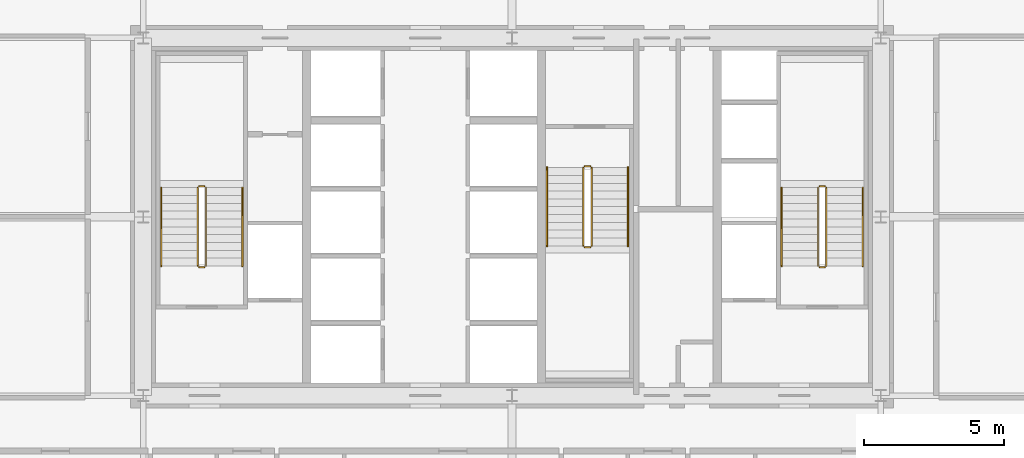
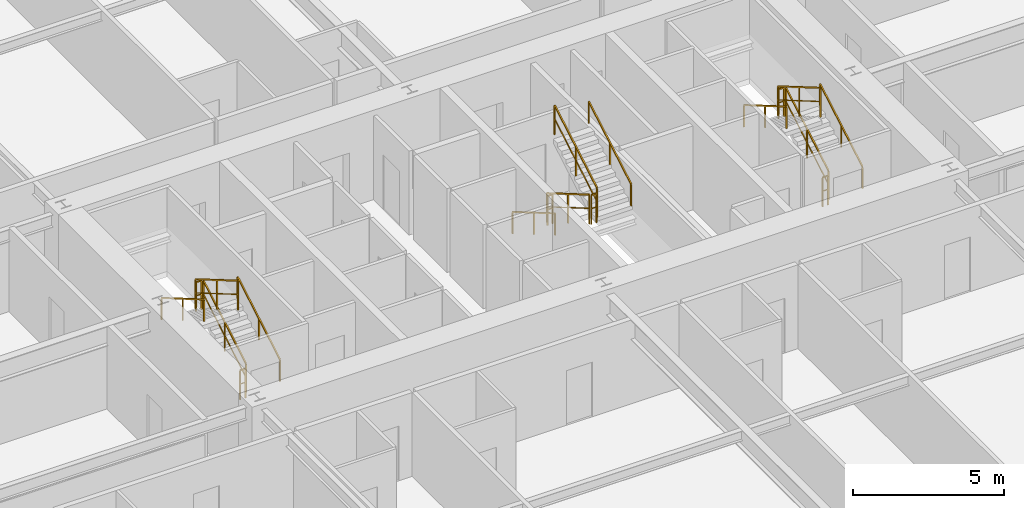
# One storey, part 43 of 43: 18 railings.
"""IFC4 building model written with IfcOpenShell, lengths in metres."""

import ifcopenshell
import ifcopenshell.guid

model = None  # the IFC model being written
_history = None  # IfcOwnerHistory: only IFC2X3 demands one
_inside = {}  # id of a spatial element -> (the spatial element, [elements in it])
_under = {}  # id of a project, library or spatial element -> (it, [spatial elements below it])
_declared = {}  # id of a project -> (the project, [libraries it declares])
_typed = {}  # id of a type object -> (the type object, [elements of that type])
_made_of = {}  # id of a material, layer set ... -> (it, [elements and type objects made of it])


def new_model(schema):
    """Start an empty IFC model of exactly this schema.

    Asked for "IFC4X3", IfcOpenShell would pick the latest addendum, in which some entities
    have other attributes; the version numbers below select the first issue.
    IFC2X3 requires an IfcOwnerHistory on every rooted entity: one is made here for all.
    """
    global model, _history
    if schema == "IFC4X3":
        model = ifcopenshell.file(schema_version=(4, 3, 0, 0))
    else:
        model = ifcopenshell.file(schema=schema)
    _inside.clear()
    _under.clear()
    _declared.clear()
    _typed.clear()
    _made_of.clear()
    _history = None
    if model.schema == "IFC2X3":
        org = make("IfcOrganization", Name="unknown")
        user = make(
            "IfcPersonAndOrganization",
            ThePerson=make("IfcPerson", FamilyName="unknown"),
            TheOrganization=org,
        )
        app = make(
            "IfcApplication",
            ApplicationDeveloper=org,
            Version="unknown",
            ApplicationFullName="unknown",
            ApplicationIdentifier="unknown",
        )
        _history = make(
            "IfcOwnerHistory",
            OwningUser=user,
            OwningApplication=app,
            ChangeAction="ADDED",
            CreationDate=0,
        )
    return model


def make(cls, **values):
    """One entity of the class cls with the attributes given. An attribute that is None is left unset."""
    return model.create_entity(
        cls, **{name: value for name, value in values.items() if value is not None}
    )


def rooted(cls, **values):
    """An entity with a GlobalId (a new one), such as an element, a storey or a relation."""
    return make(cls, GlobalId=ifcopenshell.guid.new(), OwnerHistory=_history, **values)


def si_unit(unit_type, name, prefix=None):
    """IfcSIUnit, for example si_unit("LENGTHUNIT", "METRE", prefix="MILLI")."""
    return make("IfcSIUnit", UnitType=unit_type, Prefix=prefix, Name=name)


def assignment(units):
    """IfcUnitAssignment: the units of a project."""
    return None if units is None else make("IfcUnitAssignment", Units=units)


def point(xyz):
    """IfcCartesianPoint."""
    return None if xyz is None else make("IfcCartesianPoint", Coordinates=xyz)


def direction(xyz):
    """IfcDirection."""
    return None if xyz is None else make("IfcDirection", DirectionRatios=xyz)


def frame(location, z_axis=None, x_axis=None):
    """IfcAxis2Placement3D, a coordinate frame: its origin and axes. An axis left out is left unset."""
    return make(
        "IfcAxis2Placement3D",
        Location=point(location),
        Axis=direction(z_axis),
        RefDirection=direction(x_axis),
    )


def frame_2d(location, x_axis=None):
    """IfcAxis2Placement2D, a coordinate frame in the plane: its origin and x axis."""
    return make(
        "IfcAxis2Placement2D", Location=point(location), RefDirection=direction(x_axis)
    )


def origin():
    """The frame at (0, 0, 0) with its axes left unset."""
    return frame((0.0, 0.0, 0.0))


def origin_2d():
    """The frame at (0, 0) in the plane with its x axis left unset."""
    return frame_2d((0.0, 0.0))


def place(relative_to, where):
    """IfcLocalPlacement: puts the frame where relative to a parent placement (None: the world)."""
    return make(
        "IfcLocalPlacement", PlacementRelTo=relative_to, RelativePlacement=where
    )


def context(
    kind, dimensions, precision=None, world=None, true_north=None, identifier=None
):
    """IfcGeometricRepresentationContext, for example the 3D "Model" context."""
    return make(
        "IfcGeometricRepresentationContext",
        ContextIdentifier=identifier,
        ContextType=kind,
        CoordinateSpaceDimension=dimensions,
        Precision=precision,
        WorldCoordinateSystem=world,
        TrueNorth=true_north,
    )


def subcontext(parent, identifier, kind, view, scale=None):
    """IfcGeometricRepresentationSubContext, for example "Body" below "Model"."""
    return make(
        "IfcGeometricRepresentationSubContext",
        ContextIdentifier=identifier,
        ContextType=kind,
        ParentContext=parent,
        TargetScale=scale,
        TargetView=view,
    )


def project(units=None, contexts=None):
    """IfcProject with its units and contexts."""
    return rooted(
        "IfcProject",
        Name="project",
        RepresentationContexts=contexts,
        UnitsInContext=assignment(units),
    )


def spatial(cls, under=None, at=None, **own):
    """A site, building, storey or space (cls), placed at a placement, below another one or the project."""
    s = rooted(cls, ObjectPlacement=at, **own)
    if under is not None:
        _under.setdefault(under.id(), (under, []))[1].append(s)
    return s


def profile(cls, at=None, kind="AREA", **sizes):
    """A parametric profile (cls). Its sizes go by their IFC names, for example OverallWidth=200.0."""
    return make(cls, ProfileType=kind, Position=at, **sizes)


def rectangle(**sizes):
    """IfcRectangleProfileDef."""
    return profile("IfcRectangleProfileDef", **sizes)


def extrude(swept, where, along, depth):
    """IfcExtrudedAreaSolid: the profile swept, set in the frame where, extruded along a direction by depth."""
    return make(
        "IfcExtrudedAreaSolid",
        SweptArea=swept,
        Position=where,
        ExtrudedDirection=direction(along),
        Depth=depth,
    )


def shape(context_of_items, identifier, shape_type, items):
    """IfcShapeRepresentation: the items that make up one representation, for example the "Body"."""
    return make(
        "IfcShapeRepresentation",
        ContextOfItems=context_of_items,
        RepresentationIdentifier=identifier,
        RepresentationType=shape_type,
        Items=items,
    )


def source(mapping_origin, context_of_items, identifier, shape_type, items):
    """IfcRepresentationMap: a shape defined once, which mapped items show again and again."""
    return make(
        "IfcRepresentationMap",
        MappingOrigin=mapping_origin,
        MappedRepresentation=shape(context_of_items, identifier, shape_type, items),
    )


def transform(
    local_origin,
    x_axis=None,
    y_axis=None,
    z_axis=None,
    scale=None,
    scale2=None,
    scale3=None,
    uniform=True,
):
    """IfcCartesianTransformationOperator3D, or its non-uniform kind. x_axis, y_axis, z_axis: its Axis1, 2, 3."""
    if uniform:
        return make(
            "IfcCartesianTransformationOperator3D",
            Axis1=direction(x_axis),
            Axis2=direction(y_axis),
            LocalOrigin=point(local_origin),
            Scale=scale,
            Axis3=direction(z_axis),
        )
    return make(
        "IfcCartesianTransformationOperator3DnonUniform",
        Axis1=direction(x_axis),
        Axis2=direction(y_axis),
        LocalOrigin=point(local_origin),
        Scale=scale,
        Axis3=direction(z_axis),
        Scale2=scale2,
        Scale3=scale3,
    )


def mapped(mapping_source, mapping_target):
    """IfcMappedItem: shows the shape of a source again, moved by a transform."""
    return make(
        "IfcMappedItem", MappingSource=mapping_source, MappingTarget=mapping_target
    )


def material(Name=None, Category=None):
    """IfcMaterial."""
    return make("IfcMaterial", Name=Name, Category=Category)


def layer(
    of_material, thickness, ventilated=None, Name=None, Category=None, Priority=None
):
    """IfcMaterialLayer: one layer of a wall or slab, of a material (None: an air gap)."""
    return make(
        "IfcMaterialLayer",
        Material=of_material,
        LayerThickness=thickness,
        IsVentilated=ventilated,
        Name=Name,
        Category=Category,
        Priority=Priority,
    )


def layer_set(layers, Name=None):
    """IfcMaterialLayerSet."""
    return make("IfcMaterialLayerSet", MaterialLayers=layers, LayerSetName=Name)


def made_of(thing, what):
    """Note that an element or type object is made of a material, layer set ...; save() writes the relation."""
    if what is not None:
        _made_of.setdefault(what.id(), (what, []))[1].append(thing)
    return thing


def type_object(cls, material=None, **own):
    """A type object (cls), such as IfcWallType, which elements share."""
    return made_of(rooted(cls, **own), material)


def element(
    cls,
    number,
    at=None,
    inside=None,
    cuts=None,
    type_object=None,
    material=None,
    context=None,
    identifier="Body",
    shape_type=None,
    held_by="IfcProductDefinitionShape",
    body=None,
    shapes=None,
    **own,
):
    """One element of the class cls, such as IfcWall. Its Tag is "e" and its number.

    at: its placement. inside: the storey or other place that contains it. cuts: it is an
    opening in that element (IfcRelVoidsElement). A single representation is given by context,
    identifier, shape_type and body (its items); several are given by shapes. held_by: the class
    of the entity that holds the representations. save() writes the other relations.
    """
    e = rooted(cls, Tag="e%d" % number, ObjectPlacement=at, **own)
    if body is not None:
        shapes = [shape(context, identifier, shape_type, body)]
    if shapes is not None:
        e.Representation = make(held_by, Representations=shapes)
    if inside is not None:
        _inside.setdefault(inside.id(), (inside, []))[1].append(e)
    if cuts is not None:
        rooted(
            "IfcRelVoidsElement", RelatingBuildingElement=cuts, RelatedOpeningElement=e
        )
    if type_object is not None:
        _typed.setdefault(type_object.id(), (type_object, []))[1].append(e)
    return made_of(e, material)


def aggregate(whole, parts):
    """IfcRelAggregates: a whole, such as a stair, and the parts it consists of."""
    return rooted("IfcRelAggregates", RelatingObject=whole, RelatedObjects=parts)


def save(model, path):
    """Write the relations noted so far, then the file.

    IfcRelAggregates (storeys below a building ...), IfcRelContainedInSpatialStructure (elements
    in a storey), IfcRelDefinesByType, IfcRelAssociatesMaterial and IfcRelDeclares: one each for
    every whole, place, type object, material and project.
    """
    for whole, parts in _under.values():
        aggregate(whole, parts)
    for where, things in _inside.values():
        rooted(
            "IfcRelContainedInSpatialStructure",
            RelatedElements=things,
            RelatingStructure=where,
        )
    for kind, things in _typed.values():
        rooted("IfcRelDefinesByType", RelatedObjects=things, RelatingType=kind)
    for what, things in _made_of.values():
        rooted("IfcRelAssociatesMaterial", RelatedObjects=things, RelatingMaterial=what)
    for by, libraries in _declared.values():
        rooted("IfcRelDeclares", RelatingContext=by, RelatedDefinitions=libraries)
    model.write(path)


model = new_model("IFC4")

# Units and contexts
model_context = context("Model", 3, precision=1e-05, world=origin(), true_north=direction((0.0, 1.0)))
body_context = subcontext(model_context, "Body", "Model", "MODEL_VIEW")
ifc_project = project(units=[si_unit("LENGTHUNIT", "METRE"), si_unit("AREAUNIT", "SQUARE_METRE"), si_unit("VOLUMEUNIT", "CUBIC_METRE"), si_unit("PLANEANGLEUNIT", "RADIAN"), si_unit("MASSUNIT", "GRAM", prefix="KILO"), si_unit("THERMODYNAMICTEMPERATUREUNIT", "KELVIN"), si_unit("POWERUNIT", "WATT")], contexts=[model_context])

# Site, building, storey
site_placement = place(None, origin())
site = spatial("IfcSite", under=ifc_project, at=site_placement, CompositionType="ELEMENT")
building_placement = place(site_placement, origin())
building = spatial("IfcBuilding", under=site, at=building_placement, Name="Yuzanri Waterfront Tower", CompositionType="ELEMENT")
storey_placement = place(building_placement, frame((0.0, 0.0, 74.800048828125)))
storey = spatial("IfcBuildingStorey", under=building, at=storey_placement, Name="L19", CompositionType="ELEMENT", Elevation=74.800048828125)

# Railings
ifc_material_1 = material(Name="Painted Galvanized Fire Steel", Category="steel")
ifc_layer_1 = layer(ifc_material_1, 0.06005859375)
ifc_layer_set_1 = layer_set([ifc_layer_1], Name="Painted Galvanized Fire Steel")
railing_type_1 = type_object("IfcRailingType", Name="Painted Steel Stairwell Guardrail 1120", PredefinedType="GUARDRAIL", material=ifc_layer_set_1)
shared_shape_1 = source(origin(), body_context, "Body", "SweptSolid", [
    extrude(rectangle(XDim=0.050048828125, YDim=0.050048828125, at=origin_2d()), frame((0.0, 0.0, 1.1748046875), z_axis=(-1.0, 0.0, 0.0), x_axis=(0.0, -1.0, 0.0)), (0.0, 0.0, 1.0), 0.199951171875),
    extrude(rectangle(XDim=0.035888671875, YDim=0.030029296875, at=origin_2d()), frame((0.0, 0.0, 0.6240234375), z_axis=(-1.0, 0.0, 0.0), x_axis=(0.0, -1.0, 0.0)), (0.0, 0.0, 1.0), 0.199951171875),
    extrude(rectangle(XDim=0.0458984375, YDim=0.0458984375, at=origin_2d()), origin(), (0.0, 0.0, 1.0), 1.14990234375),
    extrude(rectangle(XDim=0.0458984375, YDim=0.0458984375, at=origin_2d()), frame((-0.199951171875, 0.0, 0.0)), (0.0, 0.0, 1.0), 1.14990234375),
])
for number, where, name in (
    (1, (26.0, 26.889892578125, 1.800048828125), "L19 ST-01 stair guard 2"),
    (2, (26.0, 23.989990234375, 0.0), "L19 ST-01 stair guard 4"),
    (3, (48.199951171875, 26.889892578125, 1.800048828125), "L19 ST-02 stair guard 2"),
    (4, (48.199951171875, 23.989990234375, 0.0), "L19 ST-02 stair guard 4"),
):
    element("IfcRailing", number, at=place(storey_placement, frame(where)), inside=storey, type_object=railing_type_1, Name=name, PredefinedType="GUARDRAIL", context=body_context, shape_type="MappedRepresentation", body=[
        mapped(shared_shape_1, transform((0.0, 0.0, 0.0), scale=1.0)),
    ])
shared_shape_2 = source(origin(), body_context, "Body", "SweptSolid", [
    extrude(rectangle(XDim=0.050048828125, YDim=0.050048828125, at=origin_2d()), frame((0.0, 0.0, 1.1748046875), z_axis=(0.0, 0.863393664356, 0.504530851732), x_axis=(-1.0, 0.0, 0.0)), (0.0, 0.0, 1.0), 3.2431640625),
    extrude(rectangle(XDim=0.035888671875, YDim=0.030029296875, at=origin_2d()), frame((0.0, 0.0, 0.6240234375), z_axis=(0.0, 0.863393664356, 0.504530851732), x_axis=(-1.0, 0.0, 0.0)), (0.0, 0.0, 1.0), 3.2431640625),
    extrude(rectangle(XDim=0.0458984375, YDim=0.0458984375, at=origin_2d()), origin(), (0.0, 0.0, 1.0), 1.14990234375),
    extrude(rectangle(XDim=0.0458984375, YDim=0.0458984375, at=origin_2d()), frame((0.0, 1.39990234375, 0.818115234375)), (0.0, 0.0, 1.0), 1.14990234375),
    extrude(rectangle(XDim=0.0458984375, YDim=0.0458984375, at=origin_2d()), frame((0.0, 2.800048828125, 1.63623046875)), (0.0, 0.0, 1.0), 1.14990234375),
])
railing_1_placement = place(storey_placement, frame((39.85009765625, 24.760009765625, 1.963623046875)))
element("IfcRailing", 5, at=railing_1_placement, inside=storey, type_object=railing_type_1, Name="L19 ST-03 stair guard 3", PredefinedType="GUARDRAIL", context=body_context, shape_type="MappedRepresentation", body=[
    mapped(shared_shape_2, transform((0.0, 0.0, 0.0), scale=1.0)),
])
shared_shape_3 = source(origin(), body_context, "Body", "SweptSolid", [
    extrude(rectangle(XDim=0.050048828125, YDim=0.050048828125, at=origin_2d()), frame((0.0, 0.0, 1.1748046875), z_axis=(0.0, -0.863393664356, 0.504530851732), x_axis=(1.0, 0.0, 0.0)), (0.0, 0.0, 1.0), 3.2431640625),
    extrude(rectangle(XDim=0.035888671875, YDim=0.030029296875, at=origin_2d()), frame((0.0, 0.0, 0.6240234375), z_axis=(0.0, -0.863393664356, 0.504530851732), x_axis=(1.0, 0.0, 0.0)), (0.0, 0.0, 1.0), 3.2431640625),
    extrude(rectangle(XDim=0.0458984375, YDim=0.0458984375, at=origin_2d()), origin(), (0.0, 0.0, 1.0), 1.14990234375),
    extrude(rectangle(XDim=0.0458984375, YDim=0.0458984375, at=origin_2d()), frame((0.0, -1.39990234375, 0.818115234375)), (0.0, 0.0, 1.0), 1.14990234375),
    extrude(rectangle(XDim=0.0458984375, YDim=0.0458984375, at=origin_2d()), frame((0.0, -2.800048828125, 1.63623046875)), (0.0, 0.0, 1.0), 1.14990234375),
])
for number, where, name in (
    (6, (25.75, 26.840087890625, 1.963623046875), "L19 ST-01 stair guard 3"),
    (7, (47.949951171875, 26.840087890625, 1.963623046875), "L19 ST-02 stair guard 3"),
):
    element("IfcRailing", number, at=place(storey_placement, frame(where)), inside=storey, type_object=railing_type_1, Name=name, PredefinedType="GUARDRAIL", context=body_context, shape_type="MappedRepresentation", body=[
        mapped(shared_shape_3, transform((0.0, 0.0, 0.0), scale=1.0)),
    ])
ifc_material_2 = material(Name="Anodized Architectural Bronze", Category="metal")
ifc_layer_2 = layer(ifc_material_2, 0.050048828125)
ifc_layer_set_2 = layer_set([ifc_layer_2], Name="Anodized Architectural Bronze")
railing_type_2 = type_object("IfcRailingType", Name="Brushed Bronze Stair Pitch Handrail 920", PredefinedType="HANDRAIL", material=ifc_layer_set_2)
shared_shape_4 = source(origin(), body_context, "Body", "SweptSolid", [
    extrude(rectangle(XDim=0.050048828125, YDim=0.050048828125, at=origin_2d()), frame((0.0, 0.0, 0.875), z_axis=(0.0, 0.863393664356, 0.504530851732), x_axis=(-1.0, 0.0, 0.0)), (0.0, 0.0, 1.0), 3.2431640625),
    extrude(rectangle(XDim=0.0458984375, YDim=0.0458984375, at=origin_2d()), origin(), (0.0, 0.0, 1.0), 0.849853515625),
    extrude(rectangle(XDim=0.0458984375, YDim=0.0458984375, at=origin_2d()), frame((0.0, 1.39990234375, 0.818115234375)), (0.0, 0.0, 1.0), 0.849853515625),
    extrude(rectangle(XDim=0.0458984375, YDim=0.0458984375, at=origin_2d()), frame((0.0, 2.800048828125, 1.63623046875)), (0.0, 0.0, 1.0), 0.849853515625),
])
railing_2_placement = place(storey_placement, frame((41.14990234375, 24.760009765625, 1.963623046875)))
element("IfcRailing", 8, at=railing_2_placement, inside=storey, type_object=railing_type_2, Name="L19 ST-03 stair handrail 2", PredefinedType="HANDRAIL", context=body_context, shape_type="MappedRepresentation", body=[
    mapped(shared_shape_4, transform((0.0, 0.0, 0.0), scale=1.0)),
])
shared_shape_5 = source(origin(), body_context, "Body", "SweptSolid", [
    extrude(rectangle(XDim=0.050048828125, YDim=0.050048828125, at=origin_2d()), frame((0.0, 0.0, 0.875), z_axis=(0.0, -0.863393664356, 0.504530851732), x_axis=(1.0, 0.0, 0.0)), (0.0, 0.0, 1.0), 3.2431640625),
    extrude(rectangle(XDim=0.0458984375, YDim=0.0458984375, at=origin_2d()), origin(), (0.0, 0.0, 1.0), 0.849853515625),
    extrude(rectangle(XDim=0.0458984375, YDim=0.0458984375, at=origin_2d()), frame((0.0, -1.39990234375, 0.818115234375)), (0.0, 0.0, 1.0), 0.849853515625),
    extrude(rectangle(XDim=0.0458984375, YDim=0.0458984375, at=origin_2d()), frame((0.0, -2.800048828125, 1.63623046875)), (0.0, 0.0, 1.0), 0.849853515625),
])
for number, where, name in (
    (9, (24.449951171875, 26.840087890625, 1.963623046875), "L19 ST-01 stair handrail 2"),
    (10, (46.64990234375, 26.840087890625, 1.963623046875), "L19 ST-02 stair handrail 2"),
):
    element("IfcRailing", number, at=place(storey_placement, frame(where)), inside=storey, type_object=railing_type_2, Name=name, PredefinedType="HANDRAIL", context=body_context, shape_type="MappedRepresentation", body=[
        mapped(shared_shape_5, transform((0.0, 0.0, 0.0), scale=1.0)),
    ])
shared_shape_6 = source(origin(), body_context, "Body", "SweptSolid", [
    extrude(rectangle(XDim=0.050048828125, YDim=0.050048828125, at=origin_2d()), frame((0.0, 0.0, 1.1748046875), z_axis=(0.0, 0.863360870873, 0.504586966384), x_axis=(-1.0, 0.0, 0.0)), (0.0, 0.0, 1.0), 3.2431640625),
    extrude(rectangle(XDim=0.035888671875, YDim=0.030029296875, at=origin_2d()), frame((0.0, 0.0, 0.6240234375), z_axis=(0.0, 0.863360870873, 0.504586966384), x_axis=(-1.0, 0.0, 0.0)), (0.0, 0.0, 1.0), 3.2431640625),
    extrude(rectangle(XDim=0.0458984375, YDim=0.0458984375, at=origin_2d()), origin(), (0.0, 0.0, 1.0), 1.14990234375),
    extrude(rectangle(XDim=0.0458984375, YDim=0.0458984375, at=origin_2d()), frame((0.0, 1.39990234375, 0.818359375)), (0.0, 0.0, 1.0), 1.14990234375),
    extrude(rectangle(XDim=0.0458984375, YDim=0.0458984375, at=origin_2d()), frame((0.0, 2.800048828125, 1.636474609375)), (0.0, 0.0, 1.0), 1.14990234375),
])
for number, where, name in (
    (11, (26.050048828125, 24.0400390625, 0.16357421875), "L19 ST-01 stair guard 1"),
    (12, (48.25, 24.0400390625, 0.16357421875), "L19 ST-02 stair guard 1"),
):
    element("IfcRailing", number, at=place(storey_placement, frame(where)), inside=storey, type_object=railing_type_1, Name=name, PredefinedType="GUARDRAIL", context=body_context, shape_type="MappedRepresentation", body=[
        mapped(shared_shape_6, transform((0.0, 0.0, 0.0), scale=1.0)),
    ])
shared_shape_7 = source(origin(), body_context, "Body", "SweptSolid", [
    extrude(rectangle(XDim=0.050048828125, YDim=0.050048828125, at=origin_2d()), frame((0.0, 0.0, 1.1748046875), z_axis=(0.0, -0.863360870873, 0.504586966384), x_axis=(1.0, 0.0, 0.0)), (0.0, 0.0, 1.0), 3.2431640625),
    extrude(rectangle(XDim=0.035888671875, YDim=0.030029296875, at=origin_2d()), frame((0.0, 0.0, 0.6240234375), z_axis=(0.0, -0.863360870873, 0.504586966384), x_axis=(1.0, 0.0, 0.0)), (0.0, 0.0, 1.0), 3.2431640625),
    extrude(rectangle(XDim=0.0458984375, YDim=0.0458984375, at=origin_2d()), origin(), (0.0, 0.0, 1.0), 1.14990234375),
    extrude(rectangle(XDim=0.0458984375, YDim=0.0458984375, at=origin_2d()), frame((0.0, -1.39990234375, 0.818359375)), (0.0, 0.0, 1.0), 1.14990234375),
    extrude(rectangle(XDim=0.0458984375, YDim=0.0458984375, at=origin_2d()), frame((0.0, -2.800048828125, 1.636474609375)), (0.0, 0.0, 1.0), 1.14990234375),
])
railing_3_placement = place(storey_placement, frame((39.550048828125, 27.56005859375, 0.16357421875)))
element("IfcRailing", 13, at=railing_3_placement, inside=storey, type_object=railing_type_1, Name="L19 ST-03 stair guard 1", PredefinedType="GUARDRAIL", context=body_context, shape_type="MappedRepresentation", body=[
    mapped(shared_shape_7, transform((0.0, 0.0, 0.0), scale=1.0)),
])
shared_shape_8 = source(origin(), body_context, "Body", "SweptSolid", [
    extrude(rectangle(XDim=0.050048828125, YDim=0.050048828125, at=origin_2d()), frame((0.0, 0.0, 0.875), z_axis=(0.0, 0.863360870873, 0.504586966384), x_axis=(-1.0, 0.0, 0.0)), (0.0, 0.0, 1.0), 3.2431640625),
    extrude(rectangle(XDim=0.0458984375, YDim=0.0458984375, at=origin_2d()), origin(), (0.0, 0.0, 1.0), 0.849853515625),
    extrude(rectangle(XDim=0.0458984375, YDim=0.0458984375, at=origin_2d()), frame((0.0, 1.39990234375, 0.818359375)), (0.0, 0.0, 1.0), 0.849853515625),
    extrude(rectangle(XDim=0.0458984375, YDim=0.0458984375, at=origin_2d()), frame((0.0, 2.800048828125, 1.636474609375)), (0.0, 0.0, 1.0), 0.849853515625),
])
for number, where, name in (
    (14, (27.35009765625, 24.0400390625, 0.16357421875), "L19 ST-01 stair handrail 1"),
    (15, (49.550048828125, 24.0400390625, 0.16357421875), "L19 ST-02 stair handrail 1"),
):
    element("IfcRailing", number, at=place(storey_placement, frame(where)), inside=storey, type_object=railing_type_2, Name=name, PredefinedType="HANDRAIL", context=body_context, shape_type="MappedRepresentation", body=[
        mapped(shared_shape_8, transform((0.0, 0.0, 0.0), scale=1.0)),
    ])
shared_shape_9 = source(origin(), body_context, "Body", "SweptSolid", [
    extrude(rectangle(XDim=0.050048828125, YDim=0.050048828125, at=origin_2d()), frame((0.0, 0.0, 0.875), z_axis=(0.0, -0.863360870873, 0.504586966384), x_axis=(1.0, 0.0, 0.0)), (0.0, 0.0, 1.0), 3.2431640625),
    extrude(rectangle(XDim=0.0458984375, YDim=0.0458984375, at=origin_2d()), origin(), (0.0, 0.0, 1.0), 0.849853515625),
    extrude(rectangle(XDim=0.0458984375, YDim=0.0458984375, at=origin_2d()), frame((0.0, -1.39990234375, 0.818359375)), (0.0, 0.0, 1.0), 0.849853515625),
    extrude(rectangle(XDim=0.0458984375, YDim=0.0458984375, at=origin_2d()), frame((0.0, -2.800048828125, 1.636474609375)), (0.0, 0.0, 1.0), 0.849853515625),
])
railing_4_placement = place(storey_placement, frame((38.25, 27.56005859375, 0.16357421875)))
element("IfcRailing", 16, at=railing_4_placement, inside=storey, type_object=railing_type_2, Name="L19 ST-03 stair handrail 1", PredefinedType="HANDRAIL", context=body_context, shape_type="MappedRepresentation", body=[
    mapped(shared_shape_9, transform((0.0, 0.0, 0.0), scale=1.0)),
])
shared_shape_10 = source(origin(), body_context, "Body", "SweptSolid", [
    extrude(rectangle(XDim=0.050048828125, YDim=0.050048828125, at=origin_2d()), frame((0.0, 0.0, 1.1748046875), z_axis=(1.0, 0.0, 0.0), x_axis=(0.0, 1.0, 0.0)), (0.0, 0.0, 1.0), 0.199951171875),
    extrude(rectangle(XDim=0.035888671875, YDim=0.030029296875, at=origin_2d()), frame((0.0, 0.0, 0.6240234375), z_axis=(1.0, 0.0, 0.0), x_axis=(0.0, 1.0, 0.0)), (0.0, 0.0, 1.0), 0.199951171875),
    extrude(rectangle(XDim=0.0458984375, YDim=0.0458984375, at=origin_2d()), origin(), (0.0, 0.0, 1.0), 1.14990234375),
    extrude(rectangle(XDim=0.0458984375, YDim=0.0458984375, at=origin_2d()), frame((0.199951171875, 0.0, 0.0)), (0.0, 0.0, 1.0), 1.14990234375),
])
for number, where, name in (
    (17, (39.60009765625, 24.7099609375, 1.800048828125), "L19 ST-03 stair guard 2"),
    (18, (39.60009765625, 27.610107421875, 0.0), "L19 ST-03 stair guard 4"),
):
    element("IfcRailing", number, at=place(storey_placement, frame(where)), inside=storey, type_object=railing_type_1, Name=name, PredefinedType="GUARDRAIL", context=body_context, shape_type="MappedRepresentation", body=[
        mapped(shared_shape_10, transform((0.0, 0.0, 0.0), scale=1.0)),
    ])

save(model, "model.ifc")
